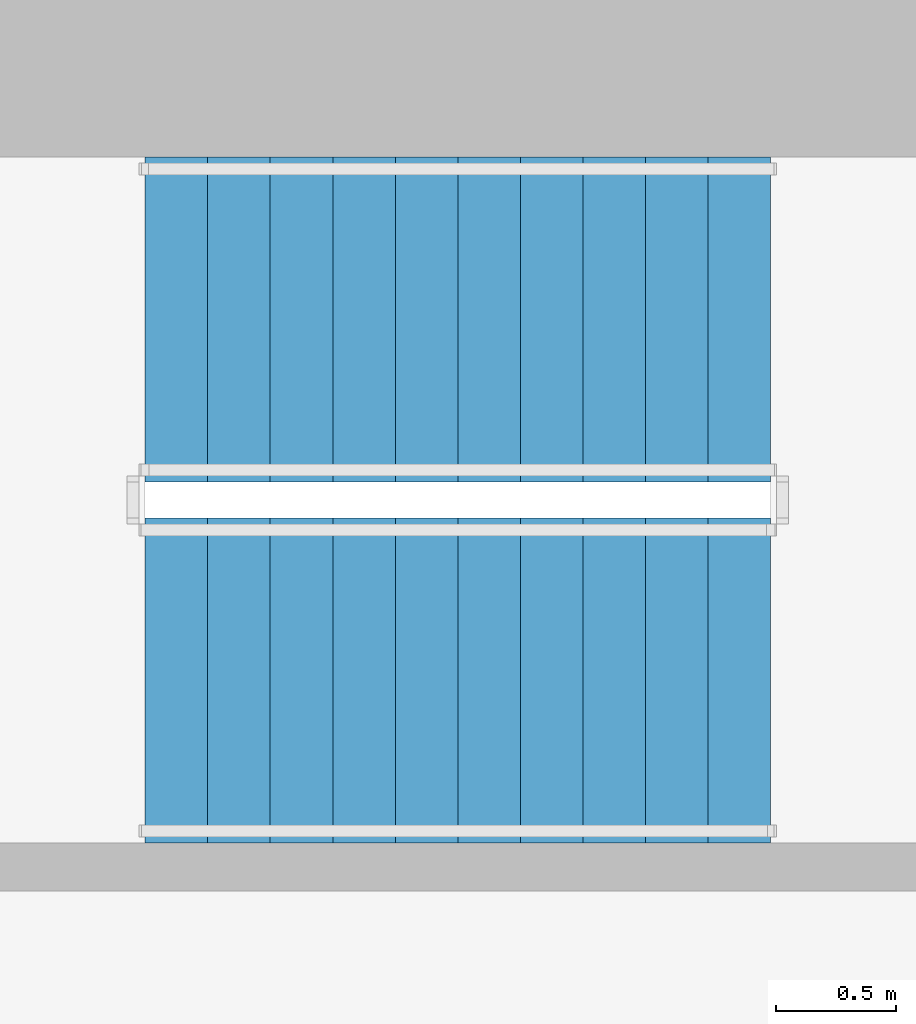
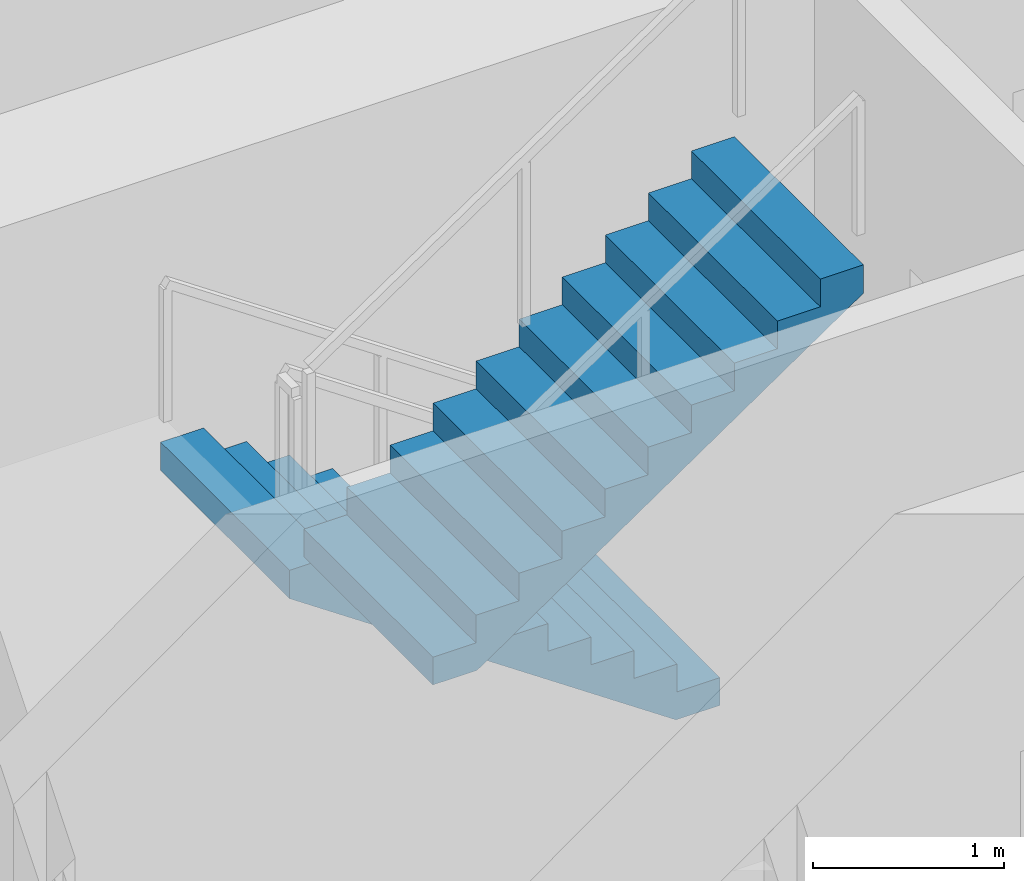
# One storey, part 10 of 15: 2 stair flights, 1 element without a shape of its own.
"""IFC4 building model written with IfcOpenShell, lengths in metres."""

from ifc_helpers import new_model, si_unit, direction, frame, origin, place, context, subcontext, project, spatial, polyline, outline, extrude, material, type_object, element, aggregate, save


model = new_model("IFC4")

# Units and contexts
model_context = context("Model", 3, precision=1e-05, world=origin(), true_north=direction((0.0, 1.0)))
body_context = subcontext(model_context, "Body", "Model", "MODEL_VIEW")
ifc_project = project(units=[si_unit("LENGTHUNIT", "METRE"), si_unit("AREAUNIT", "SQUARE_METRE"), si_unit("VOLUMEUNIT", "CUBIC_METRE"), si_unit("PLANEANGLEUNIT", "RADIAN"), si_unit("MASSUNIT", "GRAM", prefix="KILO")], contexts=[model_context])

# Site, building, storey
site_placement = place(None, origin())
site = spatial("IfcSite", under=ifc_project, at=site_placement, CompositionType="ELEMENT")
building_placement = place(site_placement, origin())
building = spatial("IfcBuilding", under=site, at=building_placement, Name="Khepri Terraces", CompositionType="ELEMENT")
storey_placement = place(building_placement, frame((0.0, 0.0, 118.199951171875)))
storey = spatial("IfcBuildingStorey", under=building, at=storey_placement, Name="L28", CompositionType="ELEMENT", Elevation=118.199951171875)

# Stair, stair flights
ifc_material = material(Name="Concrete C40/50", Category="concrete")
stair_type = type_object("IfcStairType", Name="STAIR-RC-22R", PredefinedType="HALF_TURN_STAIR", material=ifc_material)
stair_placement = place(storey_placement, origin())
stair = element("IfcStair", 1, at=stair_placement, inside=storey, type_object=stair_type, Name="L28 Exit Stair ST-3", PredefinedType="HALF_TURN_STAIR")
stair_flight_type = type_object("IfcStairFlightType", Name="SFL-RC-177.3", PredefinedType="STRAIGHT", material=ifc_material)
stair_flight_1_placement = place(storey_placement, frame((-0.25, 9.425048828125, 0.0), z_axis=(0.0, 0.0, 1.0), x_axis=(-1.0, 0.0, 0.0)))
stair_flight_1 = element("IfcStairFlight", 2, at=stair_flight_1_placement, type_object=stair_flight_type, Name="ST-3 flight 1", NumberOfRisers=11, NumberOfTreads=10, PredefinedType="STRAIGHT", RiserHeight=0.177272727, TreadLength=0.26, context=body_context, shape_type="SweptSolid", body=[
    extrude(outline(polyline([(0.0, 0.0), (0.0, 0.17724609375), (0.260009765625, 0.17724609375), (0.260009765625, 0.3544921875), (0.52001953125, 0.3544921875), (0.52001953125, 0.53173828125), (0.780029296875, 0.53173828125), (0.780029296875, 0.708984375), (1.0400390625, 0.708984375), (1.0400390625, 0.886474609375), (1.300048828125, 0.886474609375), (1.300048828125, 1.063720703125), (1.56005859375, 1.063720703125), (1.56005859375, 1.240966796875), (1.820068359375, 1.240966796875), (1.820068359375, 1.418212890625), (2.080078125, 1.418212890625), (2.080078125, 1.595458984375), (2.340087890625, 1.595458984375), (2.340087890625, 1.772705078125), (2.60009765625, 1.772705078125), (2.60009765625, 1.949951171875), (2.60009765625, 1.59130859375), (0.26611328125, 0.0), (0.0, 0.0)])), frame((0.0, 0.675048828125, 0.0), z_axis=(0.0, -1.0, 0.0), x_axis=(1.0, 0.0, 0.0)), (0.0, 0.0, 1.0), 1.35009765625),
])
stair_flight_2_placement = place(storey_placement, frame((-2.85009765625, 7.925048828125, 1.949951171875), z_axis=(0.0, 0.0, 1.0), x_axis=(1.0, 0.0, 0.0)))
stair_flight_2 = element("IfcStairFlight", 3, at=stair_flight_2_placement, type_object=stair_flight_type, Name="ST-3 flight 2", NumberOfRisers=11, NumberOfTreads=10, PredefinedType="STRAIGHT", RiserHeight=0.177272727, TreadLength=0.26, context=body_context, shape_type="SweptSolid", body=[
    extrude(outline(polyline([(0.0, 0.0), (0.0, 0.17724609375), (0.260009765625, 0.17724609375), (0.260009765625, 0.3544921875), (0.52001953125, 0.3544921875), (0.52001953125, 0.53173828125), (0.780029296875, 0.53173828125), (0.780029296875, 0.708984375), (1.0400390625, 0.708984375), (1.0400390625, 0.886474609375), (1.300048828125, 0.886474609375), (1.300048828125, 1.063720703125), (1.56005859375, 1.063720703125), (1.56005859375, 1.240966796875), (1.820068359375, 1.240966796875), (1.820068359375, 1.418212890625), (2.080078125, 1.418212890625), (2.080078125, 1.595458984375), (2.340087890625, 1.595458984375), (2.340087890625, 1.772705078125), (2.60009765625, 1.772705078125), (2.60009765625, 1.949951171875), (2.60009765625, 1.59130859375), (0.26611328125, 0.0), (0.0, 0.0)])), frame((0.0, 0.675048828125, 0.0), z_axis=(0.0, -1.0, 0.0), x_axis=(1.0, 0.0, 0.0)), (0.0, 0.0, 1.0), 1.35009765625),
])
aggregate(stair, [stair_flight_1, stair_flight_2])

save(model, "model.ifc")
